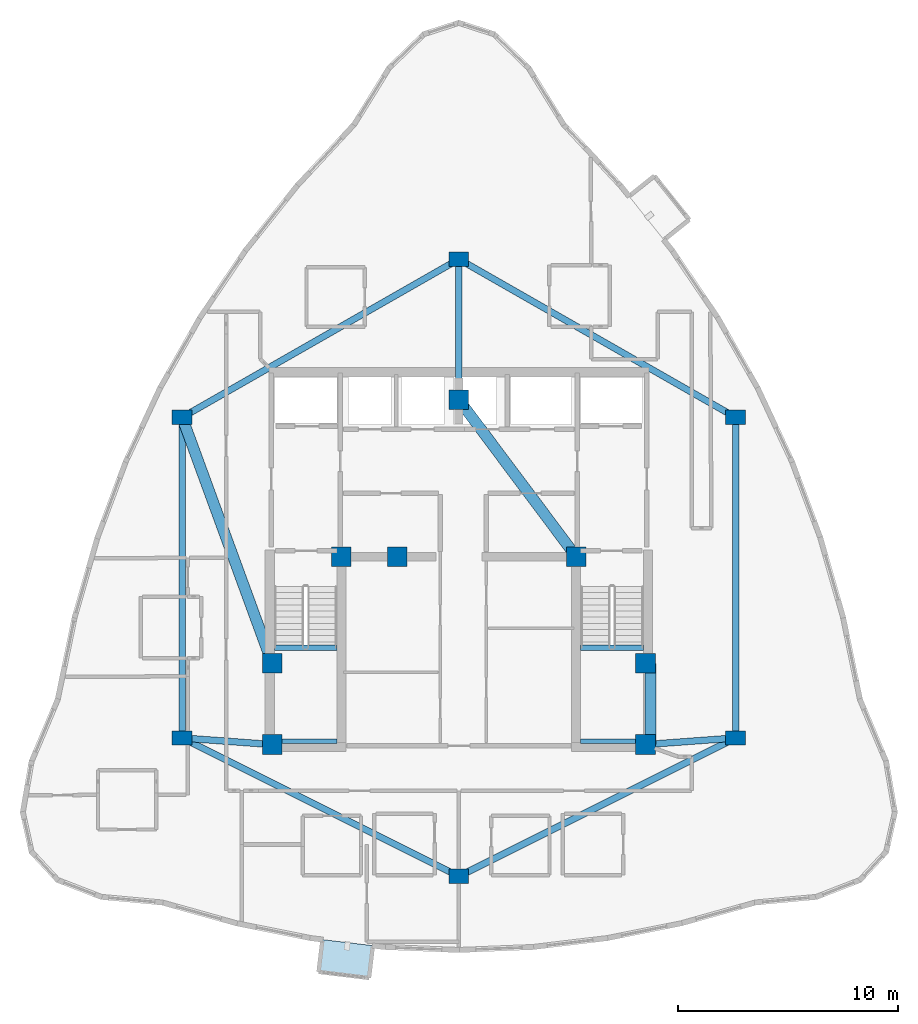
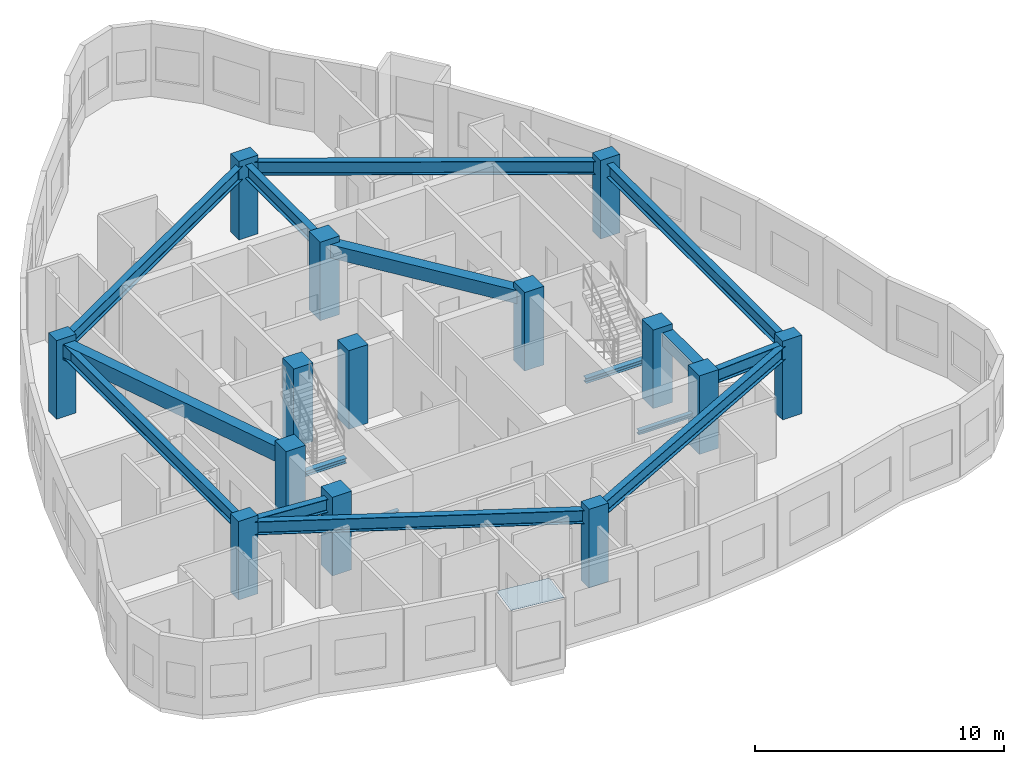
# One storey, part 1 of 13: 16 beams, 14 columns, 1 plate.
"""IFC4 building model written with IfcOpenShell, lengths in metres."""

from ifc_helpers import new_model, si_unit, direction, frame, origin, origin_2d, place, context, subcontext, project, spatial, polyline, rectangle, i_section, outline, extrude, material, layer, layer_set, material_profile, profile_set, type_object, element, save


model = new_model("IFC4")

# Units and contexts
model_context = context("Model", 3, precision=1e-05, world=origin(), true_north=direction((0.0, 1.0)))
body_context = subcontext(model_context, "Body", "Model", "MODEL_VIEW")
ifc_project = project(units=[si_unit("LENGTHUNIT", "METRE"), si_unit("AREAUNIT", "SQUARE_METRE"), si_unit("VOLUMEUNIT", "CUBIC_METRE"), si_unit("PLANEANGLEUNIT", "RADIAN"), si_unit("MASSUNIT", "GRAM", prefix="KILO")], contexts=[model_context])

# Site, building, storey
site_placement = place(None, origin())
site = spatial("IfcSite", under=ifc_project, at=site_placement, CompositionType="ELEMENT")
building_placement = place(site_placement, origin())
building = spatial("IfcBuilding", under=site, at=building_placement, Name="Miruveldt Soraemaru", CompositionType="ELEMENT")
storey_placement = place(building_placement, frame((0.0, 0.0, 259.699951171875)))
storey = spatial("IfcBuildingStorey", under=building, at=storey_placement, Name="L71", CompositionType="ELEMENT", Elevation=259.699951171875)

# Columns
ifc_material_1 = material(Name="Concrete C50/60 (50 MPa)", Category="concrete")
ifc_material_profile_1 = material_profile(ifc_material_1, rectangle(XDim=0.89990234375, YDim=0.89990234375, at=origin_2d()), Name="Concrete C50/60 (50 MPa)", Category="concrete")
ifc_profile_set_1 = profile_set([ifc_material_profile_1], Name="Concrete C50/60 (50 MPa)")
column_type_1 = type_object("IfcColumnType", Name="COL-CORE-900", PredefinedType="COLUMN", material=ifc_profile_set_1)
for number, where, z_axis, x_axis, name in (
    (1, (35.5, 35.5, 0.0), (0.0, 0.0, 1.0), (1.0, 0.0, 0.0), "L71 Structural Column CC1"),
    (2, (38.64990234375, 44.050048828125, 0.0), (0.0, 0.0, 1.0), (1.0, 0.0, 0.0), "L71 Structural Column CC2"),
    (3, (52.5, 35.5, 0.0), (0.0, 0.0, 1.0), (1.0, 0.0, 0.0), "L71 Structural Column CC3"),
    (4, (52.5, 39.199951171875, 0.0), (0.0, 0.0, 1.0), (1.0, 0.0, 0.0), "L71 Structural Column CC4"),
    (5, (49.35009765625, 44.050048828125, 0.0), (0.0, 0.0, 1.0), (1.0, 0.0, 0.0), "L71 Structural Column CC5"),
    (6, (44.0, 51.199951171875, 0.0), (0.0, 0.0, 1.0), (1.0, 0.0, 0.0), "L71 Structural Column CC6"),
    (7, (35.5, 39.199951171875, 0.0), (0.0, 0.0, 1.0), (1.0, 0.0, 0.0), "L71 Structural Column CC7"),
    (8, (41.199951171875, 44.050048828125, 0.0), (0.0, 0.0, 1.0), (1.0, 0.0, 0.0), "L71 Structural Column CC8"),
):
    element("IfcColumn", number, at=place(storey_placement, frame(where, z_axis=z_axis, x_axis=x_axis)), inside=storey, type_object=column_type_1, Name=name, PredefinedType="COLUMN", context=body_context, shape_type="SweptSolid", body=[
        extrude(rectangle(XDim=0.89990234375, YDim=0.89990234375, at=origin_2d()), origin(), (0.0, 0.0, 1.0), 3.85009765625),
    ])
ifc_material_profile_2 = material_profile(ifc_material_1, rectangle(XDim=0.89990234375, YDim=0.64990234375, at=origin_2d()), Name="Concrete C50/60 (50 MPa)", Category="concrete")
ifc_profile_set_2 = profile_set([ifc_material_profile_2], Name="Concrete C50/60 (50 MPa)")
column_type_2 = type_object("IfcColumnType", Name="COL-TW-Z4", PredefinedType="COLUMN", material=ifc_profile_set_2)
for number, where, z_axis, x_axis, name in (
    (9, (44.0, 57.60009765625, 0.0), (0.0, 0.0, 1.0), (1.0, 0.0, 0.0), "L71 Structural Column IR01"),
    (10, (56.60009765625, 50.39990234375, 0.0), (0.0, 0.0, 1.0), (1.0, 0.0, 0.0), "L71 Structural Column IR02"),
    (11, (56.60009765625, 35.800048828125, 0.0), (0.0, 0.0, 1.0), (1.0, 0.0, 0.0), "L71 Structural Column IR03"),
    (12, (44.0, 29.5, 0.0), (0.0, 0.0, 1.0), (1.0, 0.0, 0.0), "L71 Structural Column IR04"),
    (13, (31.39990234375, 35.800048828125, 0.0), (0.0, 0.0, 1.0), (1.0, 0.0, 0.0), "L71 Structural Column IR05"),
    (14, (31.39990234375, 50.39990234375, 0.0), (0.0, 0.0, 1.0), (1.0, 0.0, 0.0), "L71 Structural Column IR06"),
):
    element("IfcColumn", number, at=place(storey_placement, frame(where, z_axis=z_axis, x_axis=x_axis)), inside=storey, type_object=column_type_2, Name=name, PredefinedType="COLUMN", context=body_context, shape_type="SweptSolid", body=[
        extrude(rectangle(XDim=0.89990234375, YDim=0.64990234375, at=origin_2d()), origin(), (0.0, 0.0, 1.0), 3.85009765625),
    ])

# Beams
ifc_material_profile_3 = material_profile(ifc_material_1, rectangle(XDim=0.5, YDim=0.64990234375, at=origin_2d()), Name="Concrete C50/60 (50 MPa)", Category="concrete")
ifc_profile_set_3 = profile_set([ifc_material_profile_3], Name="Concrete C50/60 (50 MPa)")
beam_type_1 = type_object("IfcBeamType", Name="BM-RC-500x650", PredefinedType="BEAM", material=ifc_profile_set_3)
beam_1_placement = place(storey_placement, frame((52.72998046875, 35.5, 3.239990234375), z_axis=(0.0, 1.0, 0.0), x_axis=(-1.0, 0.0, 0.0)))
element("IfcBeam", 15, at=beam_1_placement, inside=storey, type_object=beam_type_1, Name="L71 Core Tie Beam 3", PredefinedType="BEAM", context=body_context, shape_type="SweptSolid", body=[
    extrude(rectangle(XDim=0.5, YDim=0.64990234375, at=origin_2d()), origin(), (0.0, 0.0, 1.0), 3.699951171875),
])
beam_2_placement = place(storey_placement, frame((49.35009765625, 44.050048828125, 3.239990234375), z_axis=(-0.599116023999, 0.800662219533, 0.0), x_axis=(-0.800662219533, -0.599116023999, 0.0)))
element("IfcBeam", 16, at=beam_2_placement, inside=storey, type_object=beam_type_1, Name="L71 Core Tie Beam 5", PredefinedType="BEAM", context=body_context, shape_type="SweptSolid", body=[
    extrude(rectangle(XDim=0.5, YDim=0.64990234375, at=origin_2d()), origin(), (0.0, 0.0, 1.0), 8.929931640625),
])
ifc_material_2 = material(Name="Concrete C40/50 (40 MPa)", Category="concrete")
ifc_material_profile_4 = material_profile(ifc_material_2, rectangle(XDim=0.5, YDim=0.75, at=origin_2d()), Name="Concrete C40/50 (40 MPa)", Category="concrete")
ifc_profile_set_4 = profile_set([ifc_material_profile_4], Name="Concrete C40/50 (40 MPa)")
beam_type_2 = type_object("IfcBeamType", Name="BM-RC-500x750", PredefinedType="LINTEL", material=ifc_profile_set_4)
beam_3_placement = place(storey_placement, frame((31.39990234375, 50.39990234375, 3.18994140625), z_axis=(0.343770424598, -0.939053723262, 0.0), x_axis=(0.939053723262, 0.343770424598, 0.0)))
element("IfcBeam", 17, at=beam_3_placement, inside=storey, type_object=beam_type_2, Name="L71 West Lobby Lintel", PredefinedType="LINTEL", context=body_context, shape_type="SweptSolid", body=[
    extrude(rectangle(XDim=0.5, YDim=0.75, at=origin_2d()), origin(), (0.0, 0.0, 1.0), 11.9267578125),
])
ifc_material_3 = material(Name="Steel SM355 (355 MPa)", Category="steel")
ifc_material_profile_5 = material_profile(ifc_material_3, i_section(OverallWidth=0.300048828125, OverallDepth=0.64990234375, WebThickness=0.012939453125, FlangeThickness=0.02197265625, FilletRadius=0.02587890625, at=origin_2d()), Name="Steel SM355 (355 MPa)", Category="steel")
ifc_profile_set_5 = profile_set([ifc_material_profile_5], Name="Steel SM355 (355 MPa)")
beam_type_3 = type_object("IfcBeamType", Name="BM-ST-H650", PredefinedType="BEAM", material=ifc_profile_set_5)
beam_4_placement = place(storey_placement, frame((44.0, 57.60009765625, 3.239990234375), z_axis=(0.868239001029, -0.496146185203, 0.0), x_axis=(0.496146185203, 0.868239001029, 0.0)))
element("IfcBeam", 18, at=beam_4_placement, inside=storey, type_object=beam_type_3, Name="L71 Inner Ring Girder 1", PredefinedType="BEAM", context=body_context, shape_type="SweptSolid", body=[
    extrude(i_section(OverallWidth=0.300048828125, OverallDepth=0.64990234375, WebThickness=0.012939453125, FlangeThickness=0.02197265625, FilletRadius=0.02587890625, at=origin_2d()), origin(), (0.0, 0.0, 1.0), 14.51220703125),
])
beam_5_placement = place(storey_placement, frame((44.0, 51.199951171875, 3.239990234375), z_axis=(0.0, 1.0, 0.0), x_axis=(-1.0, 0.0, 0.0)))
element("IfcBeam", 19, at=beam_5_placement, inside=storey, type_object=beam_type_3, Name="L71 Core-to-Inner Radial Girder 1", PredefinedType="BEAM", context=body_context, shape_type="SweptSolid", body=[
    extrude(i_section(OverallWidth=0.300048828125, OverallDepth=0.64990234375, WebThickness=0.012939453125, FlangeThickness=0.02197265625, FilletRadius=0.02587890625, at=origin_2d()), origin(), (0.0, 0.0, 1.0), 6.400146484375),
])
beam_6_placement = place(storey_placement, frame((56.60009765625, 50.39990234375, 3.239990234375), z_axis=(0.0, -1.0, 0.0), x_axis=(1.0, 0.0, 0.0)))
element("IfcBeam", 20, at=beam_6_placement, inside=storey, type_object=beam_type_3, Name="L71 Inner Ring Girder 2", PredefinedType="BEAM", context=body_context, shape_type="SweptSolid", body=[
    extrude(i_section(OverallWidth=0.300048828125, OverallDepth=0.64990234375, WebThickness=0.012939453125, FlangeThickness=0.02197265625, FilletRadius=0.02587890625, at=origin_2d()), origin(), (0.0, 0.0, 1.0), 14.599853515625),
])
beam_7_placement = place(storey_placement, frame((56.60009765625, 35.800048828125, 3.239990234375), z_axis=(-0.894427191, -0.4472135955, 0.0), x_axis=(0.4472135955, -0.894427191, 0.0)))
element("IfcBeam", 21, at=beam_7_placement, inside=storey, type_object=beam_type_3, Name="L71 Inner Ring Girder 3", PredefinedType="BEAM", context=body_context, shape_type="SweptSolid", body=[
    extrude(i_section(OverallWidth=0.300048828125, OverallDepth=0.64990234375, WebThickness=0.012939453125, FlangeThickness=0.02197265625, FilletRadius=0.02587890625, at=origin_2d()), origin(), (0.0, 0.0, 1.0), 14.08740234375),
])
beam_8_placement = place(storey_placement, frame((52.5, 35.5, 3.239990234375), z_axis=(0.997332985605, 0.072985723431, 0.0), x_axis=(-0.072985723431, 0.997332985605, 0.0)))
element("IfcBeam", 22, at=beam_8_placement, inside=storey, type_object=beam_type_3, Name="L71 Core-to-Inner Radial Girder 3", PredefinedType="BEAM", context=body_context, shape_type="SweptSolid", body=[
    extrude(i_section(OverallWidth=0.300048828125, OverallDepth=0.64990234375, WebThickness=0.012939453125, FlangeThickness=0.02197265625, FilletRadius=0.02587890625, at=origin_2d()), origin(), (0.0, 0.0, 1.0), 4.111083984375),
])
beam_9_placement = place(storey_placement, frame((44.0, 29.5, 3.239990234375), z_axis=(-0.894427191, 0.4472135955, 0.0), x_axis=(-0.4472135955, -0.894427191, 0.0)))
element("IfcBeam", 23, at=beam_9_placement, inside=storey, type_object=beam_type_3, Name="L71 Inner Ring Girder 4", PredefinedType="BEAM", context=body_context, shape_type="SweptSolid", body=[
    extrude(i_section(OverallWidth=0.300048828125, OverallDepth=0.64990234375, WebThickness=0.012939453125, FlangeThickness=0.02197265625, FilletRadius=0.02587890625, at=origin_2d()), origin(), (0.0, 0.0, 1.0), 14.08740234375),
])
beam_10_placement = place(storey_placement, frame((31.39990234375, 35.800048828125, 3.239990234375), z_axis=(0.0, 1.0, 0.0), x_axis=(-1.0, 0.0, 0.0)))
element("IfcBeam", 24, at=beam_10_placement, inside=storey, type_object=beam_type_3, Name="L71 Inner Ring Girder 5", PredefinedType="BEAM", context=body_context, shape_type="SweptSolid", body=[
    extrude(i_section(OverallWidth=0.300048828125, OverallDepth=0.64990234375, WebThickness=0.012939453125, FlangeThickness=0.02197265625, FilletRadius=0.02587890625, at=origin_2d()), origin(), (0.0, 0.0, 1.0), 14.599853515625),
])
beam_11_placement = place(storey_placement, frame((35.5, 35.5, 3.239990234375), z_axis=(-0.997332985605, 0.072985723431, 0.0), x_axis=(-0.072985723431, -0.997332985605, 0.0)))
element("IfcBeam", 25, at=beam_11_placement, inside=storey, type_object=beam_type_3, Name="L71 Core-to-Inner Radial Girder 5", PredefinedType="BEAM", context=body_context, shape_type="SweptSolid", body=[
    extrude(i_section(OverallWidth=0.300048828125, OverallDepth=0.64990234375, WebThickness=0.012939453125, FlangeThickness=0.02197265625, FilletRadius=0.02587890625, at=origin_2d()), origin(), (0.0, 0.0, 1.0), 4.111083984375),
])
beam_12_placement = place(storey_placement, frame((31.39990234375, 50.39990234375, 3.239990234375), z_axis=(0.868239001029, 0.496146185203, 0.0), x_axis=(-0.496146185203, 0.868239001029, 0.0)))
element("IfcBeam", 26, at=beam_12_placement, inside=storey, type_object=beam_type_3, Name="L71 Inner Ring Girder 6", PredefinedType="BEAM", context=body_context, shape_type="SweptSolid", body=[
    extrude(i_section(OverallWidth=0.300048828125, OverallDepth=0.64990234375, WebThickness=0.012939453125, FlangeThickness=0.02197265625, FilletRadius=0.02587890625, at=origin_2d()), origin(), (0.0, 0.0, 1.0), 14.51220703125),
])
ifc_material_profile_6 = material_profile(ifc_material_3, i_section(OverallWidth=0.199951171875, OverallDepth=0.199951171875, WebThickness=0.008056640625, FlangeThickness=0.011962890625, FilletRadius=0.012939453125, at=origin_2d()), Name="Steel SM355 (355 MPa)", Category="steel")
ifc_profile_set_6 = profile_set([ifc_material_profile_6], Name="Steel SM355 (355 MPa)")
beam_type_4 = type_object("IfcBeamType", Name="BM-ST-LND200", PredefinedType="BEAM", material=ifc_profile_set_6)
for number, where, z_axis, x_axis, name in (
    (27, (35.60009765625, 35.64990234375, 1.625), (1.0, 0.0, 0.0), (0.0, 1.0, 0.0), "L71 ST1 Landing End Beam 1B"),
    (28, (49.550048828125, 35.64990234375, 1.625), (1.0, 0.0, 0.0), (0.0, 1.0, 0.0), "L71 ST2 Landing End Beam 1B"),
):
    element("IfcBeam", number, at=place(storey_placement, frame(where, z_axis=z_axis, x_axis=x_axis)), inside=storey, type_object=beam_type_4, Name=name, PredefinedType="BEAM", context=body_context, shape_type="SweptSolid", body=[
        extrude(i_section(OverallWidth=0.199951171875, OverallDepth=0.199951171875, WebThickness=0.008056640625, FlangeThickness=0.011962890625, FilletRadius=0.012939453125, at=origin_2d()), origin(), (0.0, 0.0, 1.0), 2.849853515625),
    ])
ifc_material_profile_7 = material_profile(ifc_material_3, i_section(OverallWidth=0.25, OverallDepth=0.25, WebThickness=0.009033203125, FlangeThickness=0.013916015625, FilletRadius=0.01611328125, at=origin_2d()), Name="Steel SM355 (355 MPa)", Category="steel")
ifc_profile_set_7 = profile_set([ifc_material_profile_7], Name="Steel SM355 (355 MPa)")
beam_type_5 = type_object("IfcBeamType", Name="BM-ST-LND250", PredefinedType="BEAM", material=ifc_profile_set_7)
for number, where, z_axis, x_axis, name in (
    (29, (35.60009765625, 39.89990234375, 1.60009765625), (1.0, 0.0, 0.0), (0.0, 1.0, 0.0), "L71 ST1 Landing Support Beam 1A"),
    (30, (49.550048828125, 39.89990234375, 1.60009765625), (1.0, 0.0, 0.0), (0.0, 1.0, 0.0), "L71 ST2 Landing Support Beam 1A"),
):
    element("IfcBeam", number, at=place(storey_placement, frame(where, z_axis=z_axis, x_axis=x_axis)), inside=storey, type_object=beam_type_5, Name=name, PredefinedType="BEAM", context=body_context, shape_type="SweptSolid", body=[
        extrude(i_section(OverallWidth=0.25, OverallDepth=0.25, WebThickness=0.009033203125, FlangeThickness=0.013916015625, FilletRadius=0.01611328125, at=origin_2d()), origin(), (0.0, 0.0, 1.0), 2.849853515625),
    ])

# Plate
ifc_material_4 = material(Name="Standing-seam titanium-zinc sheet", Category="aluminium")
ifc_layer = layer(ifc_material_4, 0.011962890625, Name="Standing-seam titanium-zinc sheet", Category="aluminium")
ifc_layer_set = layer_set([ifc_layer], Name="Standing-seam titanium-zinc sheet")
plate_type = type_object("IfcPlateType", Name="PLT-ZINC-12", PredefinedType="SHEET", material=ifc_layer_set)
plate_placement = place(storey_placement, frame((0.0, 0.0, 3.4150390625)))
element("IfcPlate", 31, at=plate_placement, inside=storey, type_object=plate_type, Name="L71 Bay Window Zinc Hood Sheet 1", PredefinedType="SHEET", context=body_context, shape_type="SweptSolid", body=[
    extrude(outline(polyline([(37.79052734375, 26.619384765625), (40.085205078125, 26.343994140625), (39.90869140625, 24.87451171875), (37.6142578125, 25.14990234375), (37.79052734375, 26.619384765625)])), origin(), (0.0, 0.0, 1.0), 0.011962890625),
])

save(model, "model.ifc")
